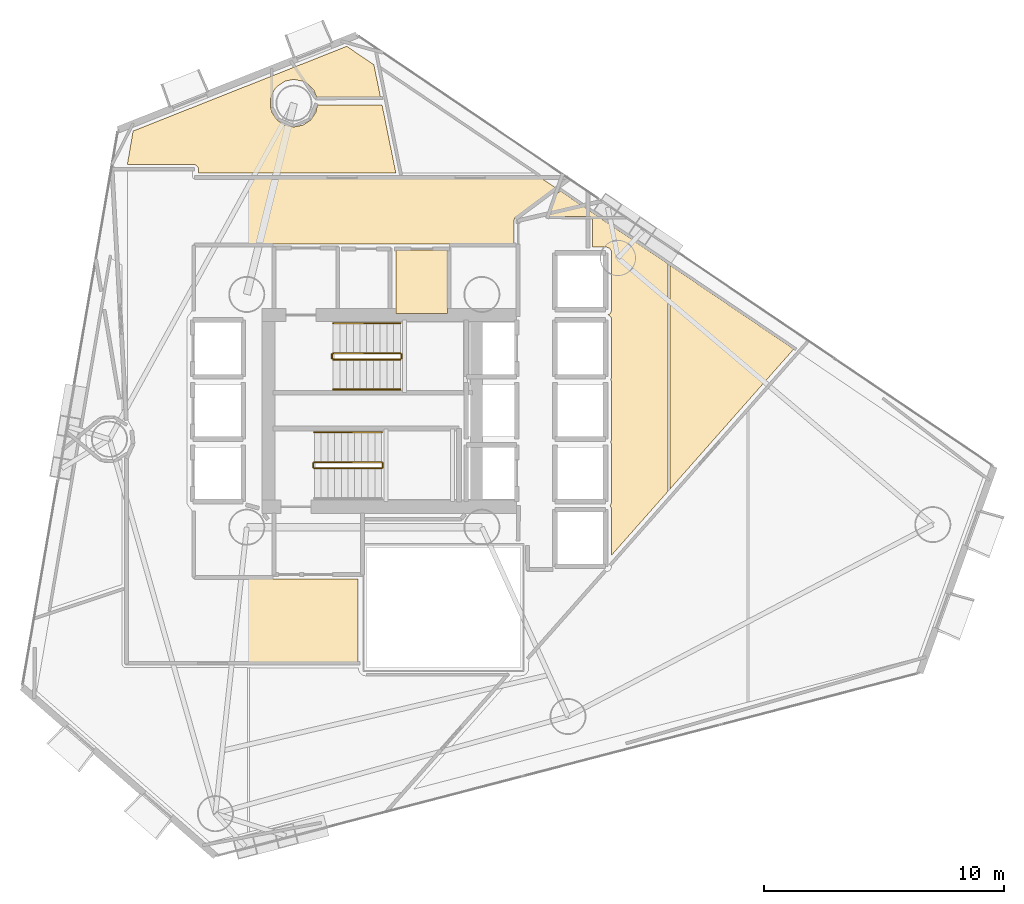
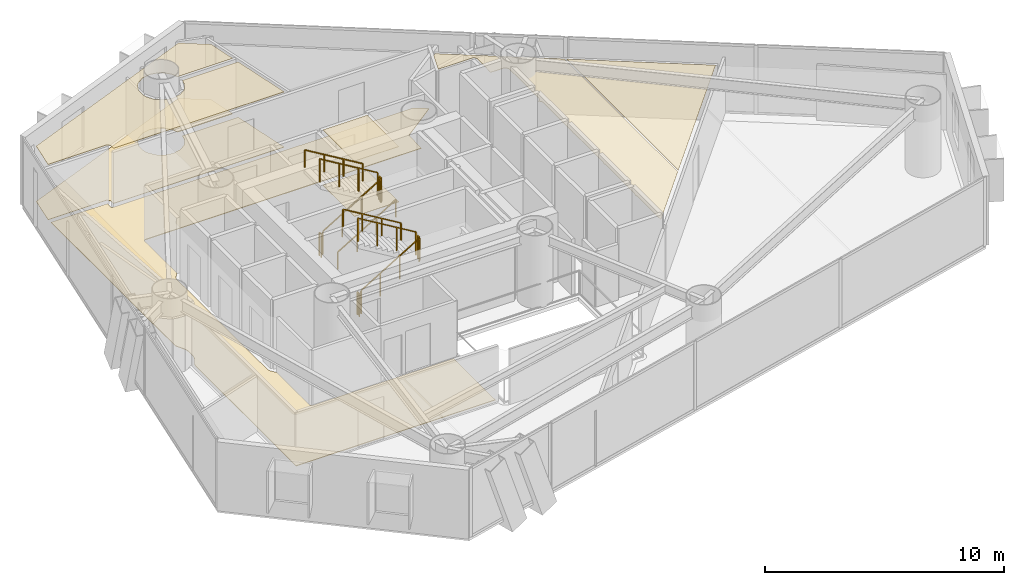
# One storey, part 20 of 21: 11 railings, 7 coverings.
"""IFC4 building model written with IfcOpenShell, lengths in metres."""

from ifc_helpers import new_model, si_unit, direction, frame, origin, origin_2d, place, context, subcontext, project, spatial, polyline, rectangle, outline, extrude, material, layer, layer_set, type_object, element, save


model = new_model("IFC4")

# Units and contexts
model_context = context("Model", 3, precision=1e-05, world=origin(), true_north=direction((0.0, 1.0)))
body_context = subcontext(model_context, "Body", "Model", "MODEL_VIEW")
ifc_project = project(units=[si_unit("LENGTHUNIT", "METRE"), si_unit("AREAUNIT", "SQUARE_METRE"), si_unit("VOLUMEUNIT", "CUBIC_METRE"), si_unit("PLANEANGLEUNIT", "RADIAN"), si_unit("MASSUNIT", "GRAM", prefix="KILO")], contexts=[model_context])

# Site, building, storey
site_placement = place(None, origin())
site = spatial("IfcSite", under=ifc_project, at=site_placement, CompositionType="ELEMENT")
building_placement = place(site_placement, origin())
building = spatial("IfcBuilding", under=site, at=building_placement, Name="Qianvela Tower", CompositionType="ELEMENT")
storey_placement = place(building_placement, frame((0.0, 0.0, 108.89990234375)))
storey = spatial("IfcBuildingStorey", under=building, at=storey_placement, Name="L27", CompositionType="ELEMENT", Elevation=108.89990234375)

# Coverings
ifc_material_1 = material(Name="Perforated Mineral Acoustic Ceiling Tile")
ifc_layer_1 = layer(ifc_material_1, 0.02490234375)
ifc_layer_set_1 = layer_set([ifc_layer_1], Name="Perforated Mineral Acoustic Ceiling Tile")
covering_type_1 = type_object("IfcCoveringType", Name="COV-CEIL-ACOUSTIC-25", PredefinedType="CEILING", material=ifc_layer_set_1)
covering_1_placement = place(storey_placement, frame((0.0, 0.0, 2.815185546875)))
element("IfcCovering", 1, at=covering_1_placement, inside=storey, type_object=covering_type_1, Name="L27 Acoustic Ceiling L27 Core Tea Pantry", PredefinedType="CEILING", context=body_context, shape_type="SweptSolid", body=[
    extrude(outline(polyline([(36.969970703125, 32.760009765625), (34.830078125, 32.760009765625), (34.830078125, 35.39990234375), (36.969970703125, 35.39990234375), (36.969970703125, 32.760009765625)])), origin(), (0.0, 0.0, 1.0), 0.02490234375),
])
covering_2_placement = place(storey_placement, frame((0.0, 0.0, 2.815185546875)))
element("IfcCovering", 2, at=covering_2_placement, inside=storey, type_object=covering_type_1, Name="L27 Acoustic Ceiling Bay 1 Academic Cellular Office L27-01C", PredefinedType="CEILING", context=body_context, shape_type="SweptSolid", body=[
    extrude(outline(polyline([(43.722412109375, 32.739013671875), (43.729248046875, 32.74267578125), (43.73583984375, 32.746826171875), (43.741943359375, 32.751953125), (43.74755859375, 32.757568359375), (43.75244140625, 32.763427734375), (43.7568359375, 32.77001953125), (43.760498046875, 32.777099609375), (43.763427734375, 32.7841796875), (43.79541015625, 32.873046875), (43.79736328125, 32.879638671875), (43.798828125, 32.886474609375), (43.7998046875, 32.893310546875), (43.800048828125, 32.900146484375), (43.79736328125, 35.327392578125), (43.796875, 35.3359375), (43.79541015625, 35.344482421875), (43.793212890625, 35.352783203125), (43.7900390625, 35.36083984375), (43.785888671875, 35.368408203125), (43.7373046875, 35.44921875), (43.732666015625, 35.456298828125), (43.727294921875, 35.462890625), (43.72119140625, 35.46875), (43.71435546875, 35.47412109375), (43.70703125, 35.478515625), (43.699462890625, 35.482177734375), (43.624267578125, 35.51318359375), (43.616943359375, 35.515869140625), (43.609375, 35.517822265625), (43.6015625, 35.518798828125), (43.59375, 35.519287109375), (43.0, 35.52001953125), (43.010009765625, 36.6494140625), (43.009765625, 36.656494140625), (43.0087890625, 36.663818359375), (43.007080078125, 36.6708984375), (43.0048828125, 36.677978515625), (43.002197265625, 36.684814453125), (42.99853515625, 36.691162109375), (42.956298828125, 36.76171875), (42.951904296875, 36.7685546875), (42.946533203125, 36.77490234375), (42.940673828125, 36.780517578125), (42.93408203125, 36.78564453125), (42.92724609375, 36.7900390625), (42.919921875, 36.793701171875), (42.912353515625, 36.796630859375), (42.904296875, 36.798828125), (42.896240234375, 36.800048828125), (42.88818359375, 36.800537109375), (41.205078125, 36.809326171875), (41.534912109375, 37.75537109375), (41.67041015625, 37.860107421875), (46.150634765625, 34.825439453125), (46.150634765625, 25.337646484375), (43.799560546875, 22.67724609375), (43.800048828125, 24.60009765625), (43.7998046875, 24.606689453125), (43.798828125, 24.61376953125), (43.79736328125, 24.620361328125), (43.79541015625, 24.626953125), (43.763427734375, 24.7158203125), (43.760498046875, 24.722900390625), (43.7568359375, 24.72998046875), (43.75244140625, 24.736572265625), (43.74755859375, 24.742431640625), (43.741943359375, 24.748046875), (43.73974609375, 24.75), (43.73974609375, 24.75), (43.74609375, 24.755859375), (43.75146484375, 24.76220703125), (43.75634765625, 24.76904296875), (43.76025390625, 24.776611328125), (43.763427734375, 24.7841796875), (43.79541015625, 24.873046875), (43.79736328125, 24.879638671875), (43.798828125, 24.88623046875), (43.7998046875, 24.89306640625), (43.800048828125, 24.89990234375), (43.800048828125, 27.300048828125), (43.799560546875, 27.30810546875), (43.79833984375, 27.31591796875), (43.79638671875, 27.323486328125), (43.793701171875, 27.3310546875), (43.7646484375, 27.39990234375), (43.793701171875, 27.468994140625), (43.79638671875, 27.476318359375), (43.79833984375, 27.484130859375), (43.799560546875, 27.491943359375), (43.800048828125, 27.5), (43.800048828125, 29.89990234375), (43.799560546875, 29.907958984375), (43.79833984375, 29.915771484375), (43.79638671875, 29.923583984375), (43.793701171875, 29.93115234375), (43.7646484375, 30.0), (43.793701171875, 30.06884765625), (43.79638671875, 30.076416015625), (43.79833984375, 30.084228515625), (43.799560546875, 30.09228515625), (43.800048828125, 30.10009765625), (43.7939453125, 32.540771484375), (43.793701171875, 32.548583984375), (43.79248046875, 32.556396484375), (43.79052734375, 32.56396484375), (43.787841796875, 32.5712890625), (43.784423828125, 32.578369140625), (43.780517578125, 32.585205078125), (43.7353515625, 32.652587890625), (43.73095703125, 32.658447265625), (43.726318359375, 32.6640625), (43.720947265625, 32.6689453125), (43.715087890625, 32.673583984375), (43.708984375, 32.677490234375), (43.702392578125, 32.680908203125), (43.69580078125, 32.68359375), (43.644287109375, 32.701904296875), (43.722412109375, 32.739013671875)])), origin(), (0.0, 0.0, 1.0), 0.02490234375),
])
covering_3_placement = place(storey_placement, frame((0.0, 0.0, 2.815185546875)))
element("IfcCovering", 3, at=covering_3_placement, inside=storey, type_object=covering_type_1, Name="L27 Acoustic Ceiling Bay 2 Academic Cellular Office L27-01C", PredefinedType="CEILING", context=body_context, shape_type="SweptSolid", body=[
    extrude(outline(polyline([(51.395751953125, 31.2724609375), (46.230712890625, 25.42822265625), (46.230712890625, 34.771240234375), (51.395751953125, 31.2724609375)])), origin(), (0.0, 0.0, 1.0), 0.02490234375),
])
covering_4_placement = place(storey_placement, frame((0.0, 0.0, 2.815185546875)))
element("IfcCovering", 4, at=covering_4_placement, inside=storey, type_object=covering_type_1, Name="L27 Acoustic Ceiling Academic Cellular Office L27-03", PredefinedType="CEILING", context=body_context, shape_type="SweptSolid", body=[
    extrude(outline(polyline([(26.57958984375, 38.610107421875), (26.57861328125, 38.81591796875), (26.577880859375, 38.82421875), (26.57666015625, 38.83251953125), (26.574462890625, 38.840576171875), (26.571533203125, 38.84814453125), (26.567626953125, 38.855712890625), (26.563232421875, 38.862548828125), (26.55810546875, 38.868896484375), (26.55224609375, 38.875), (26.481689453125, 38.93896484375), (26.475830078125, 38.943603515625), (26.4697265625, 38.94775390625), (26.46337890625, 38.951416015625), (26.45654296875, 38.954345703125), (26.44970703125, 38.95654296875), (26.4423828125, 38.958251953125), (26.43505859375, 38.959228515625), (26.427734375, 38.959716796875), (23.6201171875, 38.9560546875), (23.86181640625, 40.3623046875), (32.765625, 43.89208984375), (33.8984375, 43.124755859375), (34.169677734375, 41.788818359375), (31.5087890625, 41.781982421875), (31.39453125, 42.057373046875), (31.39111328125, 42.064208984375), (31.38720703125, 42.071044921875), (31.382568359375, 42.077392578125), (31.377197265625, 42.0830078125), (31.126220703125, 42.334228515625), (31.120361328125, 42.339599609375), (31.114013671875, 42.34423828125), (31.107421875, 42.34814453125), (30.949951171875, 42.432373046875), (30.94287109375, 42.435546875), (30.935546875, 42.438232421875), (30.927734375, 42.440185546875), (30.57958984375, 42.509521484375), (30.57177734375, 42.510498046875), (30.56396484375, 42.510986328125), (30.55615234375, 42.510498046875), (30.54833984375, 42.509521484375), (30.2001953125, 42.440185546875), (30.1923828125, 42.438232421875), (30.18505859375, 42.435546875), (30.177978515625, 42.432373046875), (30.17138671875, 42.42822265625), (29.876220703125, 42.23095703125), (29.869873046875, 42.226318359375), (29.864013671875, 42.220947265625), (29.858642578125, 42.215087890625), (29.74560546875, 42.077392578125), (29.74072265625, 42.071044921875), (29.73681640625, 42.064208984375), (29.7333984375, 42.05712890625), (29.59765625, 41.72900390625), (29.594970703125, 41.7216796875), (29.593017578125, 41.714111328125), (29.591796875, 41.706298828125), (29.591552734375, 41.698486328125), (29.591552734375, 41.343505859375), (29.591796875, 41.335693359375), (29.593017578125, 41.327880859375), (29.594970703125, 41.3203125), (29.646728515625, 41.1494140625), (29.6494140625, 41.14208984375), (29.652587890625, 41.135009765625), (29.65673828125, 41.12841796875), (29.85400390625, 40.8330078125), (29.858642578125, 40.826904296875), (29.864013671875, 40.821044921875), (29.869873046875, 40.815673828125), (29.876220703125, 40.81103515625), (30.17138671875, 40.61376953125), (30.177978515625, 40.609619140625), (30.18505859375, 40.6064453125), (30.1923828125, 40.603759765625), (30.2001953125, 40.601806640625), (30.54833984375, 40.532470703125), (30.55615234375, 40.531494140625), (30.56396484375, 40.531005859375), (30.57177734375, 40.531494140625), (30.57958984375, 40.532470703125), (30.927734375, 40.601806640625), (30.935546875, 40.603759765625), (30.94287109375, 40.6064453125), (30.949951171875, 40.609619140625), (30.956787109375, 40.61376953125), (31.251953125, 40.81103515625), (31.25830078125, 40.815673828125), (31.263916015625, 40.821044921875), (31.269287109375, 40.826904296875), (31.27392578125, 40.8330078125), (31.47119140625, 41.12841796875), (31.475341796875, 41.135009765625), (31.478759765625, 41.14208984375), (31.481201171875, 41.149658203125), (31.483154296875, 41.1572265625), (31.53955078125, 41.442138671875), (34.23876953125, 41.448974609375), (34.815185546875, 38.610107421875), (26.57958984375, 38.610107421875)])), origin(), (0.0, 0.0, 1.0), 0.02490234375),
])
ifc_material_2 = material(Name="Engineered Acoustic Oak Timber Flooring", Category="wood")
ifc_layer_2 = layer(ifc_material_2, 0.02001953125)
ifc_layer_set_2 = layer_set([ifc_layer_2], Name="Engineered Acoustic Oak Timber Flooring")
covering_type_2 = type_object("IfcCoveringType", Name="COV-FLOOR-OAK-20", PredefinedType="FLOORING", material=ifc_layer_set_2)
covering_5_placement = place(storey_placement, origin())
element("IfcCovering", 5, at=covering_5_placement, inside=storey, type_object=covering_type_2, Name="L27 Finish Flooring L27 Core Tea Pantry", PredefinedType="FLOORING", context=body_context, shape_type="SweptSolid", body=[
    extrude(outline(polyline([(36.969970703125, 32.760009765625), (34.830078125, 32.760009765625), (34.830078125, 35.39990234375), (36.969970703125, 35.39990234375), (36.969970703125, 32.760009765625)])), origin(), (0.0, 0.0, 1.0), 0.02001953125),
])
covering_6_placement = place(storey_placement, origin())
element("IfcCovering", 6, at=covering_6_placement, inside=storey, type_object=covering_type_2, Name="L27 Finish Flooring Academic Cellular Office L27-03", PredefinedType="FLOORING", context=body_context, shape_type="SweptSolid", body=[
    extrude(outline(polyline([(26.57958984375, 38.610107421875), (26.57861328125, 38.81591796875), (26.577880859375, 38.82421875), (26.57666015625, 38.83251953125), (26.574462890625, 38.840576171875), (26.571533203125, 38.84814453125), (26.567626953125, 38.855712890625), (26.563232421875, 38.862548828125), (26.55810546875, 38.868896484375), (26.55224609375, 38.875), (26.481689453125, 38.93896484375), (26.475830078125, 38.943603515625), (26.4697265625, 38.94775390625), (26.46337890625, 38.951416015625), (26.45654296875, 38.954345703125), (26.44970703125, 38.95654296875), (26.4423828125, 38.958251953125), (26.43505859375, 38.959228515625), (26.427734375, 38.959716796875), (23.6201171875, 38.9560546875), (23.86181640625, 40.3623046875), (32.765625, 43.89208984375), (33.8984375, 43.124755859375), (34.169677734375, 41.788818359375), (31.5087890625, 41.781982421875), (31.39453125, 42.057373046875), (31.39111328125, 42.064208984375), (31.38720703125, 42.071044921875), (31.382568359375, 42.077392578125), (31.377197265625, 42.0830078125), (31.126220703125, 42.334228515625), (31.120361328125, 42.339599609375), (31.114013671875, 42.34423828125), (31.107421875, 42.34814453125), (30.949951171875, 42.432373046875), (30.94287109375, 42.435546875), (30.935546875, 42.438232421875), (30.927734375, 42.440185546875), (30.57958984375, 42.509521484375), (30.57177734375, 42.510498046875), (30.56396484375, 42.510986328125), (30.55615234375, 42.510498046875), (30.54833984375, 42.509521484375), (30.2001953125, 42.440185546875), (30.1923828125, 42.438232421875), (30.18505859375, 42.435546875), (30.177978515625, 42.432373046875), (30.17138671875, 42.42822265625), (29.876220703125, 42.23095703125), (29.869873046875, 42.226318359375), (29.864013671875, 42.220947265625), (29.858642578125, 42.215087890625), (29.74560546875, 42.077392578125), (29.74072265625, 42.071044921875), (29.73681640625, 42.064208984375), (29.7333984375, 42.05712890625), (29.59765625, 41.72900390625), (29.594970703125, 41.7216796875), (29.593017578125, 41.714111328125), (29.591796875, 41.706298828125), (29.591552734375, 41.698486328125), (29.591552734375, 41.343505859375), (29.591796875, 41.335693359375), (29.593017578125, 41.327880859375), (29.594970703125, 41.3203125), (29.646728515625, 41.1494140625), (29.6494140625, 41.14208984375), (29.652587890625, 41.135009765625), (29.65673828125, 41.12841796875), (29.85400390625, 40.8330078125), (29.858642578125, 40.826904296875), (29.864013671875, 40.821044921875), (29.869873046875, 40.815673828125), (29.876220703125, 40.81103515625), (30.17138671875, 40.61376953125), (30.177978515625, 40.609619140625), (30.18505859375, 40.6064453125), (30.1923828125, 40.603759765625), (30.2001953125, 40.601806640625), (30.54833984375, 40.532470703125), (30.55615234375, 40.531494140625), (30.56396484375, 40.531005859375), (30.57177734375, 40.531494140625), (30.57958984375, 40.532470703125), (30.927734375, 40.601806640625), (30.935546875, 40.603759765625), (30.94287109375, 40.6064453125), (30.949951171875, 40.609619140625), (30.956787109375, 40.61376953125), (31.251953125, 40.81103515625), (31.25830078125, 40.815673828125), (31.263916015625, 40.821044921875), (31.269287109375, 40.826904296875), (31.27392578125, 40.8330078125), (31.47119140625, 41.12841796875), (31.475341796875, 41.135009765625), (31.478759765625, 41.14208984375), (31.481201171875, 41.149658203125), (31.483154296875, 41.1572265625), (31.53955078125, 41.442138671875), (34.23876953125, 41.448974609375), (34.815185546875, 38.610107421875), (26.57958984375, 38.610107421875)])), origin(), (0.0, 0.0, 1.0), 0.02001953125),
])
ifc_material_3 = material(Name="Honed Stone Terrazzo Flooring", Category="masonry")
ifc_layer_3 = layer(ifc_material_3, 0.030029296875)
ifc_layer_set_3 = layer_set([ifc_layer_3], Name="Honed Stone Terrazzo Flooring")
covering_type_3 = type_object("IfcCoveringType", Name="COV-FLOOR-TERRAZZO-30", PredefinedType="FLOORING", material=ifc_layer_set_3)
covering_7_placement = place(storey_placement, origin())
element("IfcCovering", 7, at=covering_7_placement, inside=storey, type_object=covering_type_3, Name="L27 Finish Flooring L27 Floor Corridor", PredefinedType="FLOORING", context=body_context, shape_type="SweptSolid", body=[
    extrude(outline(polyline([(23.8505859375, 27.910400390625), (23.84814453125, 27.917724609375), (23.8447265625, 27.9248046875), (23.6298828125, 28.32666015625), (23.6298828125, 38.719970703125), (26.340087890625, 38.719970703125), (26.340087890625, 38.449951171875), (26.34033203125, 38.442138671875), (26.341552734375, 38.434326171875), (26.343505859375, 38.4267578125), (26.34619140625, 38.41943359375), (26.349365234375, 38.412353515625), (26.353515625, 38.405517578125), (26.358154296875, 38.399169921875), (26.36328125, 38.393310546875), (26.369140625, 38.38818359375), (26.37548828125, 38.383544921875), (26.38232421875, 38.37939453125), (26.389404296875, 38.376220703125), (26.396728515625, 38.373291015625), (26.404296875, 38.37158203125), (26.412109375, 38.370361328125), (26.419921875, 38.3701171875), (40.91796875, 38.3701171875), (41.463134765625, 38.00048828125), (39.78076171875, 36.74853515625), (39.7744140625, 36.743408203125), (39.7685546875, 36.737548828125), (39.763427734375, 36.731201171875), (39.759033203125, 36.724365234375), (39.75537109375, 36.717041015625), (39.75244140625, 36.70947265625), (39.750244140625, 36.701416015625), (39.748779296875, 36.693359375), (39.74853515625, 36.685302734375), (39.73876953125, 35.659912109375), (26.419921875, 35.659912109375), (26.412109375, 35.65966796875), (26.404296875, 35.658447265625), (26.396728515625, 35.656494140625), (26.389404296875, 35.65380859375), (26.38232421875, 35.650634765625), (26.37548828125, 35.646484375), (26.369140625, 35.641845703125), (26.36328125, 35.63671875), (26.358154296875, 35.630859375), (26.353515625, 35.62451171875), (26.349365234375, 35.61767578125), (26.34619140625, 35.610595703125), (26.343505859375, 35.603271484375), (26.341552734375, 35.595703125), (26.34033203125, 35.587890625), (26.340087890625, 35.580078125), (26.340087890625, 32.89599609375), (26.139404296875, 32.62548828125), (26.135498046875, 32.61962890625), (26.132080078125, 32.61376953125), (26.12939453125, 32.607421875), (26.126953125, 32.60107421875), (26.103515625, 32.523193359375), (26.1015625, 32.515625), (26.100341796875, 32.5078125), (26.10009765625, 32.5), (26.10009765625, 24.89990234375), (26.100341796875, 24.89208984375), (26.1015625, 24.884521484375), (26.103515625, 24.876708984375), (26.126953125, 24.799072265625), (26.12939453125, 24.79248046875), (26.132080078125, 24.786376953125), (26.135498046875, 24.7802734375), (26.139404296875, 24.774658203125), (26.340087890625, 24.50390625), (26.340087890625, 21.780029296875), (26.34033203125, 21.772216796875), (26.341552734375, 21.764404296875), (26.343505859375, 21.7568359375), (26.34619140625, 21.74951171875), (26.349365234375, 21.7421875), (26.353515625, 21.735595703125), (26.358154296875, 21.729248046875), (26.36328125, 21.723388671875), (26.369140625, 21.71826171875), (26.37548828125, 21.71337890625), (26.38232421875, 21.70947265625), (26.389404296875, 21.7060546875), (26.396728515625, 21.703369140625), (26.404296875, 21.701416015625), (26.412109375, 21.700439453125), (26.419921875, 21.699951171875), (33.239990234375, 21.699951171875), (33.239990234375, 18.22998046875), (23.6298828125, 18.22998046875), (23.6298828125, 26.705322265625), (23.8447265625, 27.107177734375), (23.84814453125, 27.1142578125), (23.8505859375, 27.12158203125), (23.906005859375, 27.303466796875), (23.90771484375, 27.311279296875), (23.908935546875, 27.31884765625), (23.909423828125, 27.326904296875), (23.909423828125, 27.705078125), (23.908935546875, 27.713134765625), (23.90771484375, 27.720703125), (23.906005859375, 27.728515625), (23.8505859375, 27.910400390625)])), origin(), (0.0, 0.0, 1.0), 0.030029296875),
])

# Railings
ifc_material_4 = material(Name="Painted Tubular Steel Q355B", Category="steel")
railing_type_1 = type_object("IfcRailingType", Name="RL-STAIR-GUARD-1200", PredefinedType="GUARDRAIL", material=ifc_material_4)
railing_1_placement = place(storey_placement, frame((32.199951171875, 30.840087890625, 0.168212890625)))
element("IfcRailing", 8, at=railing_1_placement, inside=storey, type_object=railing_type_1, Name="L27 ST-1 stair guard 1", PredefinedType="GUARDRAIL", context=body_context, shape_type="SweptSolid", body=[
    extrude(rectangle(XDim=0.050048828125, YDim=0.0400390625, at=origin_2d()), frame((0.0, 0.0, 1.179931640625), z_axis=(0.857242210791, 0.0, 0.514913383045), x_axis=(0.0, 1.0, 0.0)), (0.0, 0.0, 1.0), 3.266357421875),
    extrude(rectangle(XDim=0.050048828125, YDim=0.050048828125, at=origin_2d()), origin(), (0.0, 0.0, 1.0), 1.159912109375),
    extrude(rectangle(XDim=0.050048828125, YDim=0.050048828125, at=origin_2d()), frame((0.933349609375, 0.0, 0.560546875)), (0.0, 0.0, 1.0), 1.159912109375),
    extrude(rectangle(XDim=0.050048828125, YDim=0.050048828125, at=origin_2d()), frame((1.86669921875, 0.0, 1.121337890625)), (0.0, 0.0, 1.0), 1.159912109375),
    extrude(rectangle(XDim=0.050048828125, YDim=0.050048828125, at=origin_2d()), frame((2.800048828125, 0.0, 1.681884765625)), (0.0, 0.0, 1.0), 1.159912109375),
])
railing_2_placement = place(storey_placement, frame((35.050048828125, 30.889892578125, 1.85009765625)))
element("IfcRailing", 9, at=railing_2_placement, inside=storey, type_object=railing_type_1, Name="L27 ST-1 stair guard 2", PredefinedType="GUARDRAIL", context=body_context, shape_type="SweptSolid", body=[
    extrude(rectangle(XDim=0.050048828125, YDim=0.0400390625, at=origin_2d()), frame((0.0, 0.0, 1.179931640625), z_axis=(0.0, 1.0, 0.0), x_axis=(-1.0, 0.0, 0.0)), (0.0, 0.0, 1.0), 0.16015625),
    extrude(rectangle(XDim=0.050048828125, YDim=0.050048828125, at=origin_2d()), origin(), (0.0, 0.0, 1.0), 1.159912109375),
    extrude(rectangle(XDim=0.050048828125, YDim=0.050048828125, at=origin_2d()), frame((0.0, 0.16015625, 0.0)), (0.0, 0.0, 1.0), 1.159912109375),
])
railing_3_placement = place(storey_placement, frame((35.0, 31.10009765625, 2.018310546875)))
element("IfcRailing", 10, at=railing_3_placement, inside=storey, type_object=railing_type_1, Name="L27 ST-1 stair guard 3", PredefinedType="GUARDRAIL", context=body_context, shape_type="SweptSolid", body=[
    extrude(rectangle(XDim=0.050048828125, YDim=0.0400390625, at=origin_2d()), frame((0.0, 0.0, 1.179931640625), z_axis=(-0.857242210791, 0.0, 0.514913383045), x_axis=(0.0, -1.0, 0.0)), (0.0, 0.0, 1.0), 3.266357421875),
    extrude(rectangle(XDim=0.050048828125, YDim=0.050048828125, at=origin_2d()), origin(), (0.0, 0.0, 1.0), 1.159912109375),
    extrude(rectangle(XDim=0.050048828125, YDim=0.050048828125, at=origin_2d()), frame((-0.933349609375, 0.0, 0.560546875)), (0.0, 0.0, 1.0), 1.159912109375),
    extrude(rectangle(XDim=0.050048828125, YDim=0.050048828125, at=origin_2d()), frame((-1.86669921875, 0.0, 1.121337890625)), (0.0, 0.0, 1.0), 1.159912109375),
    extrude(rectangle(XDim=0.050048828125, YDim=0.050048828125, at=origin_2d()), frame((-2.800048828125, 0.0, 1.681884765625)), (0.0, 0.0, 1.0), 1.159912109375),
])
railing_4_placement = place(storey_placement, frame((32.14990234375, 30.889892578125, 0.0)))
element("IfcRailing", 11, at=railing_4_placement, inside=storey, type_object=railing_type_1, Name="L27 ST-1 stair guard 4", PredefinedType="GUARDRAIL", context=body_context, shape_type="SweptSolid", body=[
    extrude(rectangle(XDim=0.050048828125, YDim=0.0400390625, at=origin_2d()), frame((0.0, 0.0, 1.179931640625), z_axis=(0.0, 1.0, 0.0), x_axis=(-1.0, 0.0, 0.0)), (0.0, 0.0, 1.0), 0.16015625),
    extrude(rectangle(XDim=0.050048828125, YDim=0.050048828125, at=origin_2d()), origin(), (0.0, 0.0, 1.0), 1.159912109375),
    extrude(rectangle(XDim=0.050048828125, YDim=0.050048828125, at=origin_2d()), frame((0.0, 0.16015625, 0.0)), (0.0, 0.0, 1.0), 1.159912109375),
])
railing_5_placement = place(storey_placement, frame((31.419921875, 26.300048828125, 0.168212890625)))
element("IfcRailing", 12, at=railing_5_placement, inside=storey, type_object=railing_type_1, Name="L27 ST-2 stair guard 1", PredefinedType="GUARDRAIL", context=body_context, shape_type="SweptSolid", body=[
    extrude(rectangle(XDim=0.050048828125, YDim=0.0400390625, at=origin_2d()), frame((0.0, 0.0, 1.179931640625), z_axis=(0.857242210791, 0.0, 0.514913383045), x_axis=(0.0, 1.0, 0.0)), (0.0, 0.0, 1.0), 3.266357421875),
    extrude(rectangle(XDim=0.050048828125, YDim=0.050048828125, at=origin_2d()), origin(), (0.0, 0.0, 1.0), 1.159912109375),
    extrude(rectangle(XDim=0.050048828125, YDim=0.050048828125, at=origin_2d()), frame((0.933349609375, 0.0, 0.560546875)), (0.0, 0.0, 1.0), 1.159912109375),
    extrude(rectangle(XDim=0.050048828125, YDim=0.050048828125, at=origin_2d()), frame((1.86669921875, 0.0, 1.121337890625)), (0.0, 0.0, 1.0), 1.159912109375),
    extrude(rectangle(XDim=0.050048828125, YDim=0.050048828125, at=origin_2d()), frame((2.800048828125, 0.0, 1.681884765625)), (0.0, 0.0, 1.0), 1.159912109375),
])
railing_6_placement = place(storey_placement, frame((34.27001953125, 26.35009765625, 1.85009765625)))
element("IfcRailing", 13, at=railing_6_placement, inside=storey, type_object=railing_type_1, Name="L27 ST-2 stair guard 2", PredefinedType="GUARDRAIL", context=body_context, shape_type="SweptSolid", body=[
    extrude(rectangle(XDim=0.050048828125, YDim=0.0400390625, at=origin_2d()), frame((0.0, 0.0, 1.179931640625), z_axis=(0.0, 1.0, 0.0), x_axis=(-1.0, 0.0, 0.0)), (0.0, 0.0, 1.0), 0.159912109375),
    extrude(rectangle(XDim=0.050048828125, YDim=0.050048828125, at=origin_2d()), origin(), (0.0, 0.0, 1.0), 1.159912109375),
    extrude(rectangle(XDim=0.050048828125, YDim=0.050048828125, at=origin_2d()), frame((0.0, 0.159912109375, 0.0)), (0.0, 0.0, 1.0), 1.159912109375),
])
railing_7_placement = place(storey_placement, frame((34.219970703125, 26.56005859375, 2.018310546875)))
element("IfcRailing", 14, at=railing_7_placement, inside=storey, type_object=railing_type_1, Name="L27 ST-2 stair guard 3", PredefinedType="GUARDRAIL", context=body_context, shape_type="SweptSolid", body=[
    extrude(rectangle(XDim=0.050048828125, YDim=0.0400390625, at=origin_2d()), frame((0.0, 0.0, 1.179931640625), z_axis=(-0.857242210791, 0.0, 0.514913383045), x_axis=(0.0, -1.0, 0.0)), (0.0, 0.0, 1.0), 3.266357421875),
    extrude(rectangle(XDim=0.050048828125, YDim=0.050048828125, at=origin_2d()), origin(), (0.0, 0.0, 1.0), 1.159912109375),
    extrude(rectangle(XDim=0.050048828125, YDim=0.050048828125, at=origin_2d()), frame((-0.933349609375, 0.0, 0.560546875)), (0.0, 0.0, 1.0), 1.159912109375),
    extrude(rectangle(XDim=0.050048828125, YDim=0.050048828125, at=origin_2d()), frame((-1.86669921875, 0.0, 1.121337890625)), (0.0, 0.0, 1.0), 1.159912109375),
    extrude(rectangle(XDim=0.050048828125, YDim=0.050048828125, at=origin_2d()), frame((-2.800048828125, 0.0, 1.681884765625)), (0.0, 0.0, 1.0), 1.159912109375),
])
railing_8_placement = place(storey_placement, frame((31.3701171875, 26.35009765625, 0.0)))
element("IfcRailing", 15, at=railing_8_placement, inside=storey, type_object=railing_type_1, Name="L27 ST-2 stair guard 4", PredefinedType="GUARDRAIL", context=body_context, shape_type="SweptSolid", body=[
    extrude(rectangle(XDim=0.050048828125, YDim=0.0400390625, at=origin_2d()), frame((0.0, 0.0, 1.179931640625), z_axis=(0.0, 1.0, 0.0), x_axis=(-1.0, 0.0, 0.0)), (0.0, 0.0, 1.0), 0.159912109375),
    extrude(rectangle(XDim=0.050048828125, YDim=0.050048828125, at=origin_2d()), origin(), (0.0, 0.0, 1.0), 1.159912109375),
    extrude(rectangle(XDim=0.050048828125, YDim=0.050048828125, at=origin_2d()), frame((0.0, 0.159912109375, 0.0)), (0.0, 0.0, 1.0), 1.159912109375),
])
ifc_material_5 = material(Name="Brushed Stainless Steel 304", Category="steel")
railing_type_2 = type_object("IfcRailingType", Name="RL-STAIR-HANDRAIL-900", PredefinedType="HANDRAIL", material=ifc_material_5)
railing_9_placement = place(storey_placement, frame((32.199951171875, 29.590087890625, 0.168212890625)))
element("IfcRailing", 16, at=railing_9_placement, inside=storey, type_object=railing_type_2, Name="L27 ST-1 stair handrail 1", PredefinedType="HANDRAIL", context=body_context, shape_type="SweptSolid", body=[
    extrude(rectangle(XDim=0.050048828125, YDim=0.0400390625, at=origin_2d()), frame((0.0, 0.0, 0.8798828125), z_axis=(0.857242210791, 0.0, 0.514913383045), x_axis=(0.0, 1.0, 0.0)), (0.0, 0.0, 1.0), 3.266357421875),
    extrude(rectangle(XDim=0.050048828125, YDim=0.050048828125, at=origin_2d()), origin(), (0.0, 0.0, 1.0), 0.85986328125),
    extrude(rectangle(XDim=0.050048828125, YDim=0.050048828125, at=origin_2d()), frame((0.933349609375, 0.0, 0.560546875)), (0.0, 0.0, 1.0), 0.85986328125),
    extrude(rectangle(XDim=0.050048828125, YDim=0.050048828125, at=origin_2d()), frame((1.86669921875, 0.0, 1.121337890625)), (0.0, 0.0, 1.0), 0.85986328125),
    extrude(rectangle(XDim=0.050048828125, YDim=0.050048828125, at=origin_2d()), frame((2.800048828125, 0.0, 1.681884765625)), (0.0, 0.0, 1.0), 0.85986328125),
])
for number, where, name in (
    (17, (35.0, 32.35009765625, 2.018310546875), "L27 ST-1 stair handrail 2"),
    (18, (34.219970703125, 27.81005859375, 2.018310546875), "L27 ST-2 stair handrail 2"),
):
    element("IfcRailing", number, at=place(storey_placement, frame(where)), inside=storey, type_object=railing_type_2, Name=name, PredefinedType="HANDRAIL", context=body_context, shape_type="SweptSolid", body=[
        extrude(rectangle(XDim=0.050048828125, YDim=0.0400390625, at=origin_2d()), frame((0.0, 0.0, 0.8798828125), z_axis=(-0.857242210791, 0.0, 0.514913383045), x_axis=(0.0, -1.0, 0.0)), (0.0, 0.0, 1.0), 3.266357421875),
        extrude(rectangle(XDim=0.050048828125, YDim=0.050048828125, at=origin_2d()), origin(), (0.0, 0.0, 1.0), 0.85986328125),
        extrude(rectangle(XDim=0.050048828125, YDim=0.050048828125, at=origin_2d()), frame((-0.933349609375, 0.0, 0.560546875)), (0.0, 0.0, 1.0), 0.85986328125),
        extrude(rectangle(XDim=0.050048828125, YDim=0.050048828125, at=origin_2d()), frame((-1.86669921875, 0.0, 1.121337890625)), (0.0, 0.0, 1.0), 0.85986328125),
        extrude(rectangle(XDim=0.050048828125, YDim=0.050048828125, at=origin_2d()), frame((-2.800048828125, 0.0, 1.681884765625)), (0.0, 0.0, 1.0), 0.85986328125),
    ])

save(model, "model.ifc")
